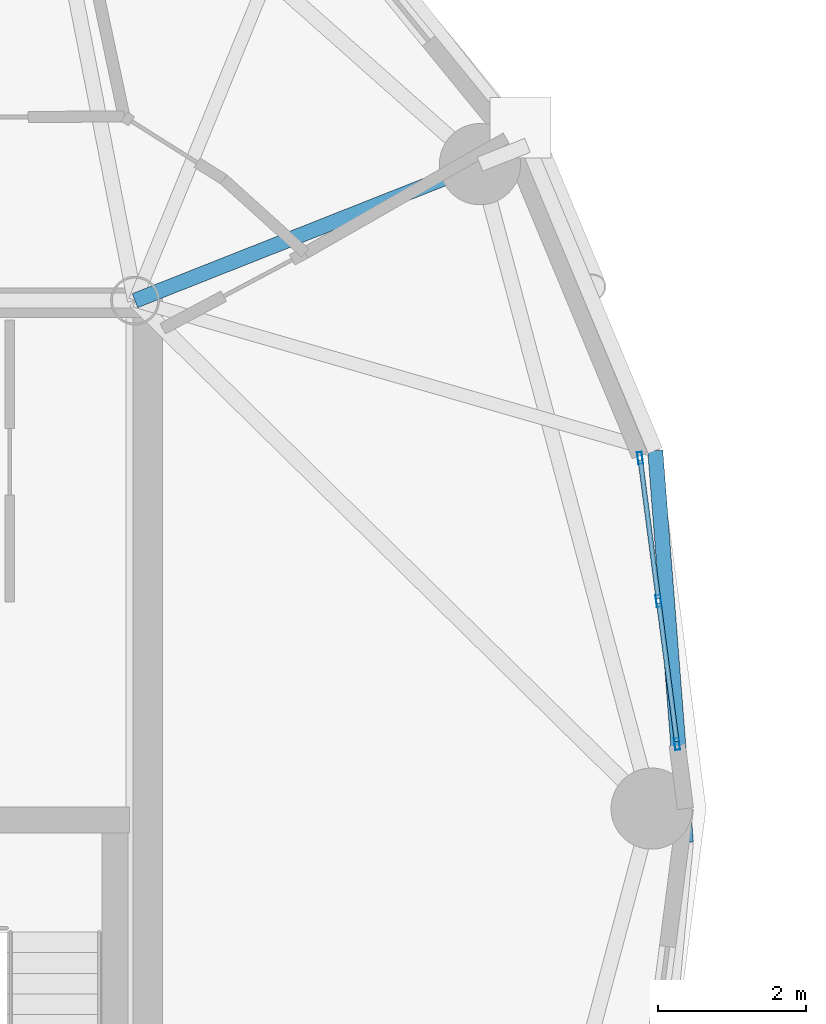
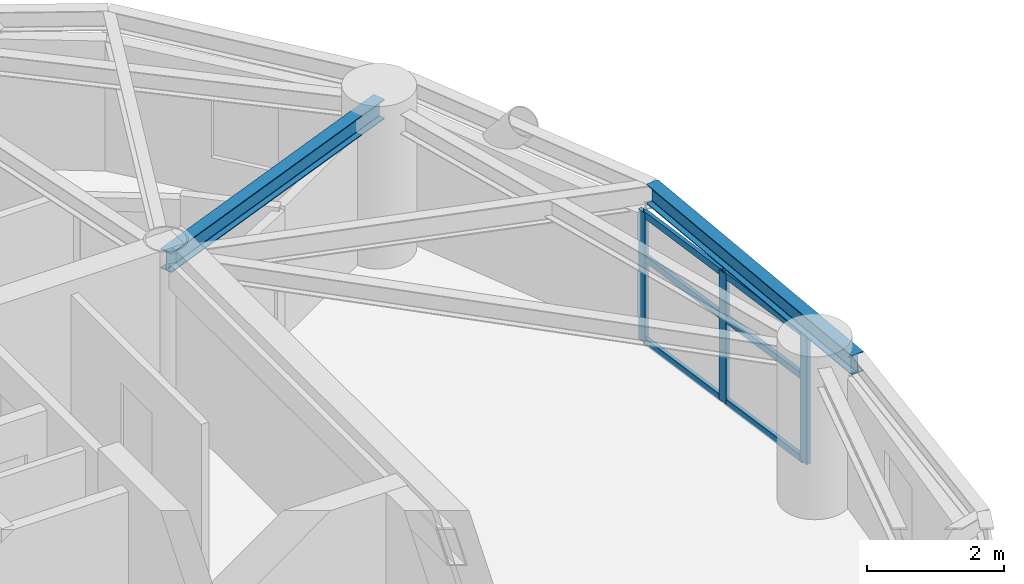
# One storey, part 3 of 16: 9 members, 2 beams, 1 element without a shape of its own.
"""IFC4 building model written with IfcOpenShell, lengths in metres."""

from ifc_helpers import new_model, si_unit, direction, frame, origin, origin_2d, place, context, subcontext, project, spatial, hollow_rectangle, i_section, extrude, material, layer, layer_set, material_profile, profile_set, type_object, element, aggregate, save


model = new_model("IFC4")

# Units and contexts
model_context = context("Model", 3, precision=1e-05, world=origin(), true_north=direction((0.0, 1.0)))
body_context = subcontext(model_context, "Body", "Model", "MODEL_VIEW")
ifc_project = project(units=[si_unit("LENGTHUNIT", "METRE"), si_unit("AREAUNIT", "SQUARE_METRE"), si_unit("VOLUMEUNIT", "CUBIC_METRE"), si_unit("PLANEANGLEUNIT", "RADIAN"), si_unit("MASSUNIT", "GRAM", prefix="KILO")], contexts=[model_context])

# Site, building, storey
site_placement = place(None, origin())
site = spatial("IfcSite", under=ifc_project, at=site_placement, CompositionType="ELEMENT")
building_placement = place(site_placement, origin())
building = spatial("IfcBuilding", under=site, at=building_placement, Name="Cununo Teusaquillo Station Towers", CompositionType="ELEMENT")
storey_placement = place(building_placement, frame((0.0, 0.0, 208.300048828125)))
storey = spatial("IfcBuildingStorey", under=building, at=storey_placement, Name="L66", CompositionType="ELEMENT", Elevation=208.300048828125)

# Beams
ifc_material_1 = material(Name="Steel ASTM A572 Grade 50", Category="steel")
ifc_material_profile_1 = material_profile(ifc_material_1, i_section(OverallWidth=0.2041015625, OverallDepth=0.35009765625, WebThickness=0.008544921875, FlangeThickness=0.01513671875, FilletRadius=0.011962890625, at=origin_2d()), Name="W14X48")
ifc_profile_set_1 = profile_set([ifc_material_profile_1], Name="Steel ASTM A572 Grade 50")
beam_type_1 = type_object("IfcBeamType", Name="BM-RAD-G3", PredefinedType="BEAM", material=ifc_profile_set_1)
beam_1_placement = place(storey_placement, frame((21.675048828125, 31.3798828125, 2.52490234375), z_axis=(0.929864104313, 0.367903176814, 0.0), x_axis=(-0.367903176814, 0.929864104313, 0.0)))
element("IfcBeam", 1, at=beam_1_placement, inside=storey, type_object=beam_type_1, Name="L66 Tower A Radial Girder 02A", PredefinedType="BEAM", context=body_context, shape_type="SweptSolid", body=[
    extrude(i_section(OverallWidth=0.2041015625, OverallDepth=0.35009765625, WebThickness=0.008544921875, FlangeThickness=0.01513671875, FilletRadius=0.011962890625, at=origin_2d()), origin(), (0.0, 0.0, 1.0), 5.02490234375),
])
ifc_material_2 = material(Name="Steel ASTM A572 Grade 50", Category="steel")
ifc_material_profile_2 = material_profile(ifc_material_2, i_section(OverallWidth=0.2041015625, OverallDepth=0.35009765625, WebThickness=0.008544921875, FlangeThickness=0.01513671875, FilletRadius=0.011962890625, at=origin_2d()), Name="W14X48")
ifc_profile_set_2 = profile_set([ifc_material_profile_2], Name="Steel ASTM A572 Grade 50")
beam_type_2 = type_object("IfcBeamType", Name="BM-RING-Z4", PredefinedType="SPANDREL", material=ifc_profile_set_2)
beam_2_placement = place(storey_placement, frame((29.135498046875, 24.044189453125, 2.52490234375), z_axis=(-0.077871988965, 0.996963366095, 0.0), x_axis=(-0.996963366095, -0.077871988965, 0.0)))
element("IfcBeam", 2, at=beam_2_placement, inside=storey, type_object=beam_type_2, Name="L66 Tower A Spandrel Ring Beam 01", PredefinedType="SPANDREL", context=body_context, shape_type="SweptSolid", body=[
    extrude(i_section(OverallWidth=0.2041015625, OverallDepth=0.35009765625, WebThickness=0.008544921875, FlangeThickness=0.01513671875, FilletRadius=0.011962890625, at=origin_2d()), origin(), (0.0, 0.0, 1.0), 5.3203125),
])

# Curtain wall, members
ifc_material_3 = material(Name="Ceramic-fritted dark low-E double glazing", Category="glass")
ifc_layer = layer(ifc_material_3, 0.179931640625)
ifc_layer_set = layer_set([ifc_layer], Name="Ceramic-fritted dark low-E double glazing")
curtain_wall_type = type_object("IfcCurtainWallType", Name="CW-SYS-07", PredefinedType="USERDEFINED", material=ifc_layer_set)
curtain_wall_placement = place(storey_placement, origin())
curtain_wall = element("IfcCurtainWall", 3, at=curtain_wall_placement, inside=storey, type_object=curtain_wall_type, Name="L66 Tower A Facade Curtain Wall C00", ObjectType="FRITTED GLAZING", PredefinedType="USERDEFINED")
ifc_material_4 = material(Name="Anodised dark bronze aluminium EN AW-6063-T6", Category="aluminium")
ifc_material_profile_3 = material_profile(ifc_material_4, hollow_rectangle(XDim=0.06494140625, YDim=0.159912109375, WallThickness=0.00390625, at=origin_2d()), Name="CW-MULL-65x160")
ifc_profile_set_3 = profile_set([ifc_material_profile_3], Name="Anodised dark bronze aluminium EN AW-6063-T6")
member_type_1 = type_object("IfcMemberType", Name="CWM-160", PredefinedType="MULLION", material=ifc_profile_set_3)
member_1_placement = place(storey_placement, frame((28.515869140625, 29.248291015625, 0.0), z_axis=(0.0, 0.0, 1.0), x_axis=(0.991741528461, 0.12825264413, 0.0)))
member_1 = element("IfcMember", 4, at=member_1_placement, type_object=member_type_1, Name="CW-07 mullion 1", PredefinedType="MULLION", context=body_context, shape_type="SweptSolid", body=[
    extrude(hollow_rectangle(XDim=0.06494140625, YDim=0.159912109375, WallThickness=0.00390625, at=origin_2d()), origin(), (0.0, 0.0, 1.0), 2.322021484375),
])
member_2_placement = place(storey_placement, frame((28.766357421875, 27.311767578125, 0.0), z_axis=(0.0, 0.0, 1.0), x_axis=(0.991741528461, 0.12825264413, 0.0)))
member_2 = element("IfcMember", 5, at=member_2_placement, type_object=member_type_1, Name="CW-07 mullion 2", PredefinedType="MULLION", context=body_context, shape_type="SweptSolid", body=[
    extrude(hollow_rectangle(XDim=0.06494140625, YDim=0.159912109375, WallThickness=0.00390625, at=origin_2d()), origin(), (0.0, 0.0, 1.0), 2.322021484375),
])
member_3_placement = place(storey_placement, frame((29.016845703125, 25.375244140625, 0.0), z_axis=(0.0, 0.0, 1.0), x_axis=(0.991741528461, 0.12825264413, 0.0)))
member_3 = element("IfcMember", 6, at=member_3_placement, type_object=member_type_1, Name="CW-07 mullion 3", PredefinedType="MULLION", context=body_context, shape_type="SweptSolid", body=[
    extrude(hollow_rectangle(XDim=0.06494140625, YDim=0.159912109375, WallThickness=0.00390625, at=origin_2d()), origin(), (0.0, 0.0, 1.0), 2.322021484375),
])
ifc_material_5 = material(Name="Anodised dark bronze aluminium EN AW-6063-T6", Category="aluminium")
ifc_material_profile_4 = material_profile(ifc_material_5, hollow_rectangle(XDim=0.06494140625, YDim=0.1201171875, WallThickness=0.00390625, at=origin_2d()), Name="CW-TRAN-65x120")
ifc_profile_set_4 = profile_set([ifc_material_profile_4], Name="Anodised dark bronze aluminium EN AW-6063-T6")
member_type_2 = type_object("IfcMemberType", Name="CWT-120", PredefinedType="USERDEFINED", material=ifc_profile_set_4)
member_4_placement = place(storey_placement, frame((28.52001953125, 29.216064453125, 0.032470703125), z_axis=(0.128299630595, -0.99173545101, 0.0), x_axis=(0.99173545101, 0.128299630595, 0.0)))
member_4 = element("IfcMember", 7, at=member_4_placement, type_object=member_type_2, Name="CW-07 transom 1.1", ObjectType="TRANSOM", PredefinedType="USERDEFINED", context=body_context, shape_type="SweptSolid", body=[
    extrude(hollow_rectangle(XDim=0.06494140625, YDim=0.1201171875, WallThickness=0.00390625, at=origin_2d()), origin(), (0.0, 0.0, 1.0), 1.8876953125),
])
member_5_placement = place(storey_placement, frame((28.52001953125, 29.216064453125, 1.509033203125), z_axis=(0.128299630595, -0.99173545101, 0.0), x_axis=(0.99173545101, 0.128299630595, 0.0)))
member_5 = element("IfcMember", 8, at=member_5_placement, type_object=member_type_2, Name="CW-07 transom 1.2", ObjectType="TRANSOM", PredefinedType="USERDEFINED", context=body_context, shape_type="SweptSolid", body=[
    extrude(hollow_rectangle(XDim=0.06494140625, YDim=0.1201171875, WallThickness=0.00390625, at=origin_2d()), origin(), (0.0, 0.0, 1.0), 1.8876953125),
])
member_6_placement = place(storey_placement, frame((28.52001953125, 29.216064453125, 2.28955078125), z_axis=(0.128299630595, -0.99173545101, 0.0), x_axis=(0.99173545101, 0.128299630595, 0.0)))
member_6 = element("IfcMember", 9, at=member_6_placement, type_object=member_type_2, Name="CW-07 transom 1.3", ObjectType="TRANSOM", PredefinedType="USERDEFINED", context=body_context, shape_type="SweptSolid", body=[
    extrude(hollow_rectangle(XDim=0.06494140625, YDim=0.1201171875, WallThickness=0.00390625, at=origin_2d()), origin(), (0.0, 0.0, 1.0), 1.8876953125),
])
member_7_placement = place(storey_placement, frame((28.7705078125, 27.279541015625, 0.032470703125), z_axis=(0.128299630595, -0.99173545101, 0.0), x_axis=(0.99173545101, 0.128299630595, 0.0)))
member_7 = element("IfcMember", 10, at=member_7_placement, type_object=member_type_2, Name="CW-07 transom 2.1", ObjectType="TRANSOM", PredefinedType="USERDEFINED", context=body_context, shape_type="SweptSolid", body=[
    extrude(hollow_rectangle(XDim=0.06494140625, YDim=0.1201171875, WallThickness=0.00390625, at=origin_2d()), origin(), (0.0, 0.0, 1.0), 1.8876953125),
])
member_8_placement = place(storey_placement, frame((28.7705078125, 27.279541015625, 1.509033203125), z_axis=(0.128299630595, -0.99173545101, 0.0), x_axis=(0.99173545101, 0.128299630595, 0.0)))
member_8 = element("IfcMember", 11, at=member_8_placement, type_object=member_type_2, Name="CW-07 transom 2.2", ObjectType="TRANSOM", PredefinedType="USERDEFINED", context=body_context, shape_type="SweptSolid", body=[
    extrude(hollow_rectangle(XDim=0.06494140625, YDim=0.1201171875, WallThickness=0.00390625, at=origin_2d()), origin(), (0.0, 0.0, 1.0), 1.8876953125),
])
member_9_placement = place(storey_placement, frame((28.7705078125, 27.279541015625, 2.28955078125), z_axis=(0.128299630595, -0.99173545101, 0.0), x_axis=(0.99173545101, 0.128299630595, 0.0)))
member_9 = element("IfcMember", 12, at=member_9_placement, type_object=member_type_2, Name="CW-07 transom 2.3", ObjectType="TRANSOM", PredefinedType="USERDEFINED", context=body_context, shape_type="SweptSolid", body=[
    extrude(hollow_rectangle(XDim=0.06494140625, YDim=0.1201171875, WallThickness=0.00390625, at=origin_2d()), origin(), (0.0, 0.0, 1.0), 1.8876953125),
])
aggregate(curtain_wall, [member_1, member_2, member_3, member_4, member_5, member_6, member_7, member_8, member_9])

save(model, "model.ifc")
